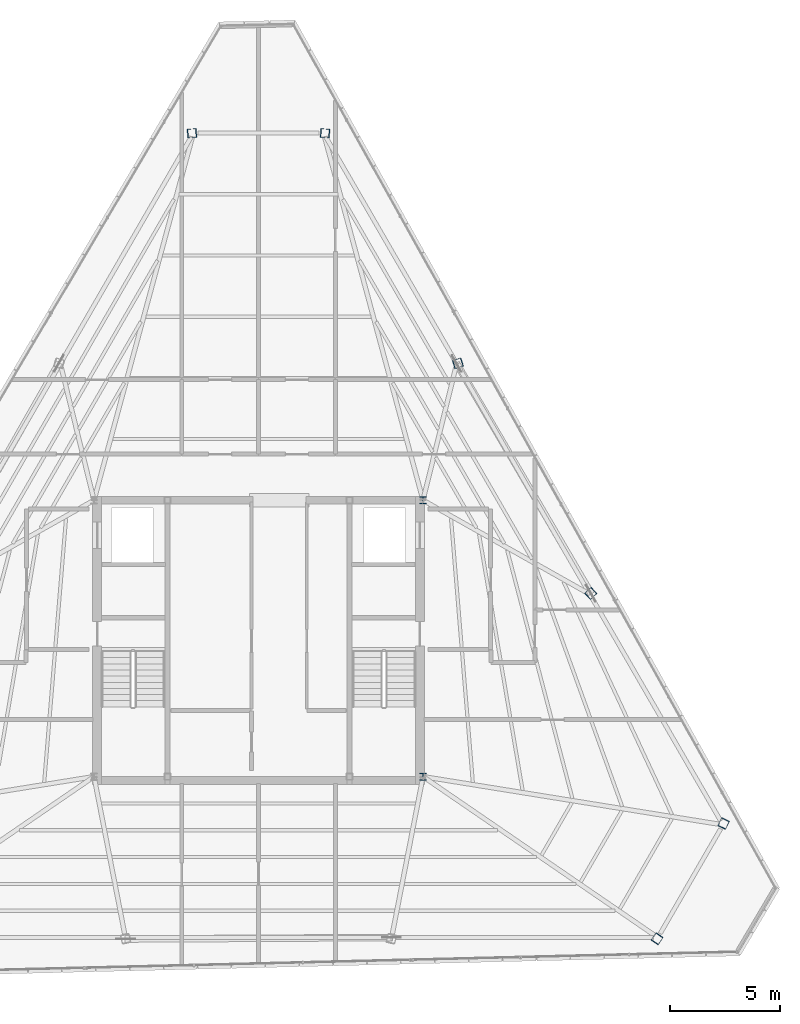
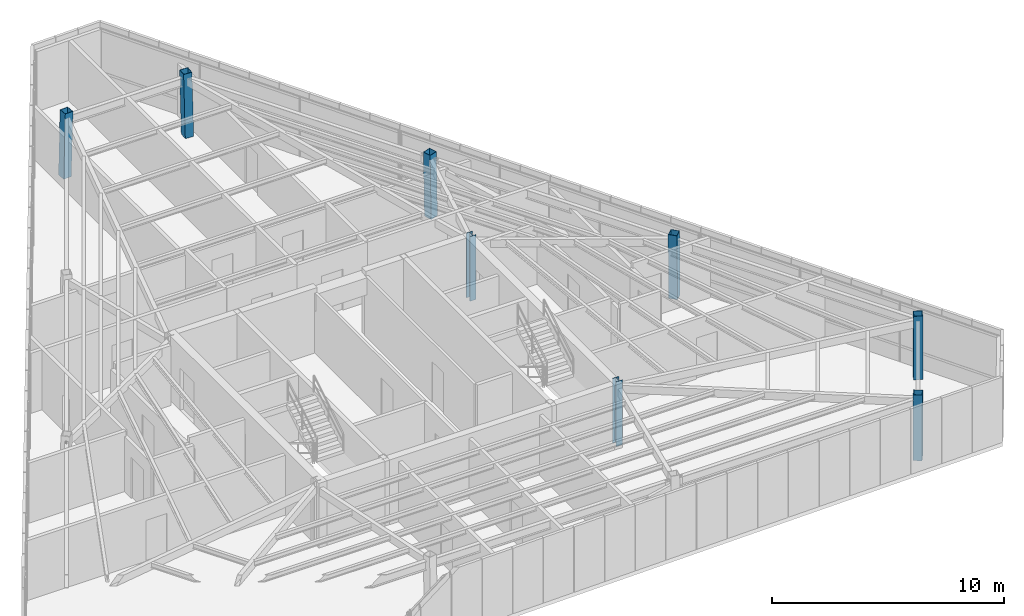
# One storey, part 2 of 44: 8 columns.
"""IFC4 building model written with IfcOpenShell, lengths in metres."""

from ifc_helpers import new_model, si_unit, direction, frame, origin, origin_2d, place, context, subcontext, project, spatial, hollow_rectangle, i_section, extrude, source, transform, mapped, material, material_profile, profile_set, type_object, type_shapes, element, save


model = new_model("IFC4")

# Units and contexts
model_context = context("Model", 3, precision=1e-05, world=origin(), true_north=direction((0.0, 1.0)))
body_context = subcontext(model_context, "Body", "Model", "MODEL_VIEW")
ifc_project = project(units=[si_unit("LENGTHUNIT", "METRE"), si_unit("AREAUNIT", "SQUARE_METRE"), si_unit("VOLUMEUNIT", "CUBIC_METRE"), si_unit("PLANEANGLEUNIT", "RADIAN"), si_unit("MASSUNIT", "GRAM", prefix="KILO")], contexts=[model_context])

# Site, building, storey
site_placement = place(None, origin())
site = spatial("IfcSite", under=ifc_project, at=site_placement, CompositionType="ELEMENT")
building_placement = place(site_placement, origin())
building = spatial("IfcBuilding", under=site, at=building_placement, Name="Caelisora Broadcast Tower", CompositionType="ELEMENT")
storey_placement = place(building_placement, frame((0.0, 0.0, 289.800048828125)))
storey = spatial("IfcBuildingStorey", under=building, at=storey_placement, Name="L76", CompositionType="ELEMENT", Elevation=289.800048828125)

# Columns
ifc_material_1 = material(Name="Steel Grade 350 (AS/NZS 3679.1)", Category="steel")
ifc_material_profile_1 = material_profile(ifc_material_1, i_section(OverallWidth=0.31103515625, OverallDepth=0.3271484375, WebThickness=0.015625, FlangeThickness=0.02490234375, at=origin_2d()), Name="Steel Grade 350 (AS/NZS 3679.1)")
ifc_profile_set_1 = profile_set([ifc_material_profile_1], Name="Steel Grade 350 (AS/NZS 3679.1)")
column_type_1 = type_object("IfcColumnType", Name="CC03", PredefinedType="COLUMN", material=ifc_profile_set_1)
shared_shape_1 = source(origin(), body_context, "Body", "SweptSolid", [
    extrude(i_section(OverallWidth=0.31103515625, OverallDepth=0.3271484375, WebThickness=0.015625, FlangeThickness=0.02490234375, at=origin_2d()), origin(), (0.0, 0.0, 1.0), 3.39990234375),
])
type_shapes(column_type_1, [shared_shape_1])
for number, where, z_axis, x_axis, name in (
    (1, (45.5, 17.39990234375, 0.0), (0.0, 0.0, 1.0), (1.0, 0.0, 0.0), "L76 column CC03"),
    (2, (45.5, 30.0, 0.0), (0.0, 0.0, 1.0), (1.0, 0.0, 0.0), "L76 column CC03"),
):
    element("IfcColumn", number, at=place(storey_placement, frame(where, z_axis=z_axis, x_axis=x_axis)), inside=storey, type_object=column_type_1, Name=name, PredefinedType="COLUMN", context=body_context, shape_type="MappedRepresentation", body=[
        mapped(shared_shape_1, transform((0.0, 0.0, 0.0), scale=1.0)),
    ])
ifc_material_2 = material(Name="Steel Grade 350 (AS/NZS 1163 C350L0)", Category="steel")
ifc_material_profile_2 = material_profile(ifc_material_2, hollow_rectangle(XDim=0.39990234375, YDim=0.39990234375, WallThickness=0.01611328125, at=origin_2d()), Name="Steel Grade 350 (AS/NZS 1163 C350L0)")
ifc_profile_set_2 = profile_set([ifc_material_profile_2], Name="Steel Grade 350 (AS/NZS 1163 C350L0)")
column_type_2 = type_object("IfcColumnType", Name="MC08", PredefinedType="COLUMN", material=ifc_profile_set_2)
shared_shape_2 = source(origin(), body_context, "Body", "SweptSolid", [
    extrude(hollow_rectangle(XDim=0.39990234375, YDim=0.39990234375, WallThickness=0.01611328125, at=origin_2d()), origin(), (0.0, 0.0, 1.0), 3.40087890625),
])
for number, where, z_axis, x_axis, name in (
    (3, (41.048095703125, 46.7333984375, 0.0), (-0.023905234944, 0.001794687308, 0.999712618126), (-0.07486439367, -0.997193723687, 0.0), "L76 column MC08"),
    (4, (34.951904296875, 46.7333984375, 0.0), (0.023905234944, 0.001794687308, 0.999712618126), (-0.07486439367, 0.997193723687, 0.0), "L76 column MC08"),
    (5, (56.163818359375, 9.993408203125, 0.0), (0.013424273829, 0.019813366721, 0.999713568664), (-0.827873758877, 0.560914467065, 0.0), "L76 column MC08"),
    (6, (59.2119140625, 15.27294921875, 0.0), (-0.010409199503, -0.021536274834, 0.999713877783), (0.900348952842, -0.43516866054, 0.0), "L76 column MC08"),
):
    element("IfcColumn", number, at=place(storey_placement, frame(where, z_axis=z_axis, x_axis=x_axis)), inside=storey, type_object=column_type_2, Name=name, PredefinedType="COLUMN", context=body_context, shape_type="MappedRepresentation", body=[
        mapped(shared_shape_2, transform((0.0, 0.0, 0.0), scale=1.0)),
    ])
shared_shape_3 = source(origin(), body_context, "Body", "SweptSolid", [
    extrude(hollow_rectangle(XDim=0.39990234375, YDim=0.39990234375, WallThickness=0.01611328125, at=origin_2d()), origin(), (0.0, 0.0, 1.0), 3.400634765625),
])
type_shapes(column_type_2, [shared_shape_2, shared_shape_3])
for number, where, z_axis, x_axis, name in (
    (7, (53.1572265625, 25.760009765625, 0.0), (-0.01486121398, -0.01385610772, 0.999793554989), (0.681940483138, -0.731407668443, 0.0), "L76 column MC08"),
    (8, (47.102783203125, 36.24658203125, 0.0), (-0.019384207584, -0.005958848998, 0.999794351162), (0.293837067669, -0.955855521333, 0.0), "L76 column MC08"),
):
    element("IfcColumn", number, at=place(storey_placement, frame(where, z_axis=z_axis, x_axis=x_axis)), inside=storey, type_object=column_type_2, Name=name, PredefinedType="COLUMN", context=body_context, shape_type="MappedRepresentation", body=[
        mapped(shared_shape_3, transform((0.0, 0.0, 0.0), scale=1.0)),
    ])

save(model, "model.ifc")
